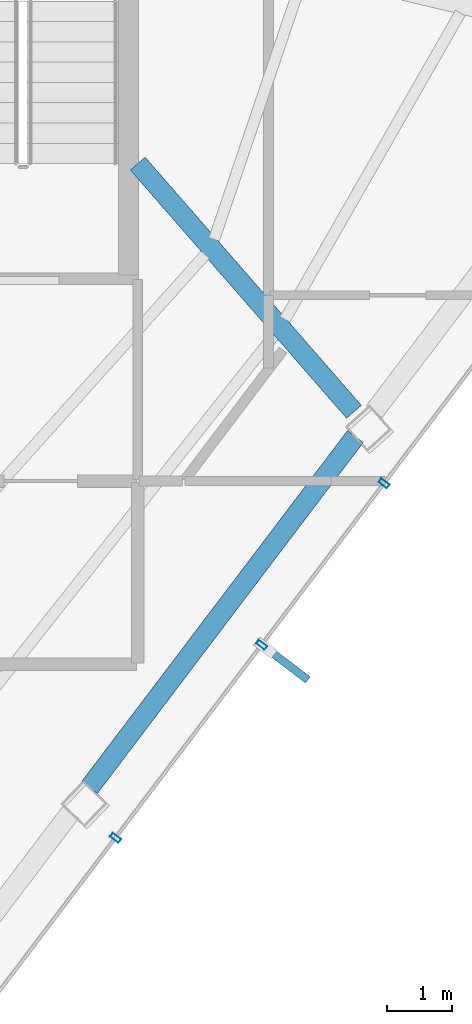
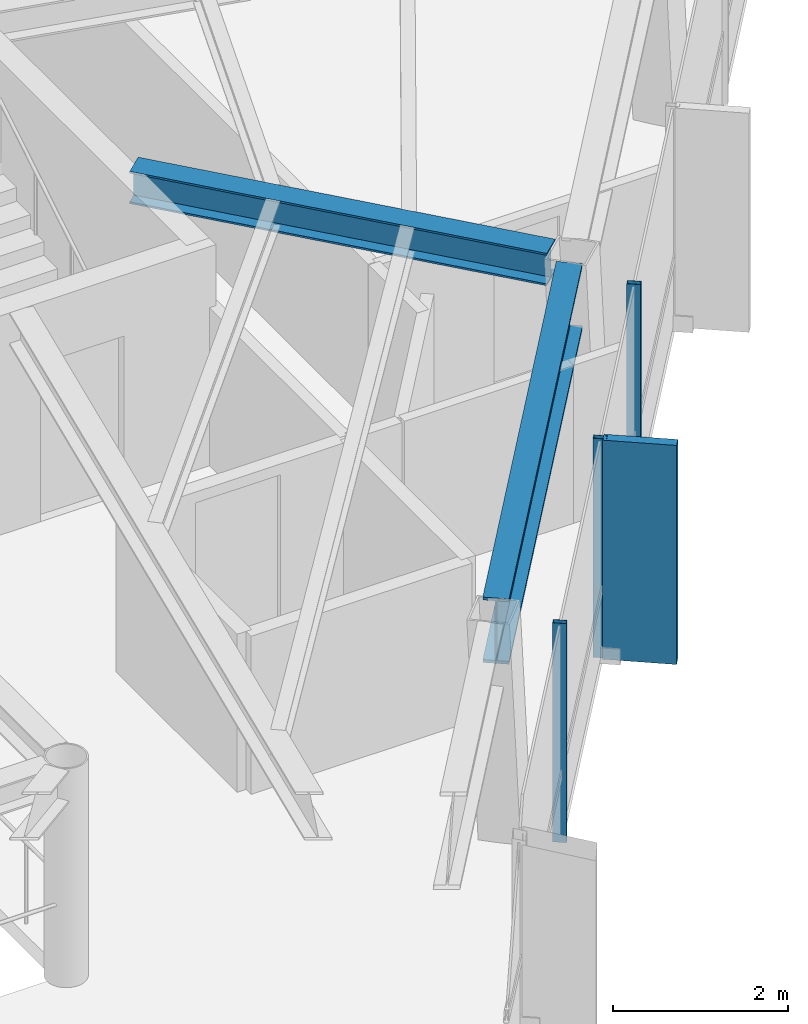
# One storey, part 15 of 24: 4 members, 2 beams, 1 element without a shape of its own.
"""IFC4 building model written with IfcOpenShell, lengths in metres."""

from ifc_helpers import new_model, si_unit, direction, frame, origin, origin_2d, place, context, subcontext, project, spatial, rectangle, hollow_rectangle, i_section, extrude, material, layer, layer_set, material_profile, profile_set, type_object, element, aggregate, save


model = new_model("IFC4")

# Units and contexts
model_context = context("Model", 3, precision=1e-05, world=origin(), true_north=direction((0.0, 1.0)))
body_context = subcontext(model_context, "Body", "Model", "MODEL_VIEW")
ifc_project = project(units=[si_unit("LENGTHUNIT", "METRE"), si_unit("AREAUNIT", "SQUARE_METRE"), si_unit("VOLUMEUNIT", "CUBIC_METRE"), si_unit("PLANEANGLEUNIT", "RADIAN"), si_unit("MASSUNIT", "GRAM", prefix="KILO")], contexts=[model_context])

# Site, building, storey
site_placement = place(None, origin())
site = spatial("IfcSite", under=ifc_project, at=site_placement, CompositionType="ELEMENT")
building_placement = place(site_placement, origin())
building = spatial("IfcBuilding", under=site, at=building_placement, Name="Zarrinselat Tower", CompositionType="ELEMENT")
storey_placement = place(building_placement, frame((0.0, 0.0, 249.56005859375)))
storey = spatial("IfcBuildingStorey", under=building, at=storey_placement, Name="L63", CompositionType="ELEMENT", Elevation=249.56005859375)

# Beams
ifc_material_1 = material(Name="Steel S355J2", Category="steel")
ifc_material_profile_1 = material_profile(ifc_material_1, i_section(OverallWidth=0.300048828125, OverallDepth=0.449951171875, WebThickness=0.013916015625, FlangeThickness=0.02587890625, at=origin_2d()), Name="HEB 450")
ifc_profile_set_1 = profile_set([ifc_material_profile_1], Name="Steel S355J2")
beam_type_1 = type_object("IfcBeamType", Name="BM-HEB450", PredefinedType="BEAM", material=ifc_profile_set_1)
beam_1_placement = place(storey_placement, frame((48.35009765625, 35.0, 2.824951171875), z_axis=(0.656915206205, -0.753964463259, 0.0), x_axis=(0.753964463259, 0.656915206205, 0.0)))
element("IfcBeam", 1, at=beam_1_placement, inside=storey, type_object=beam_type_1, Name="L63 Radial Primary Girder RG13", PredefinedType="BEAM", context=body_context, shape_type="SweptSolid", body=[
    extrude(i_section(OverallWidth=0.300048828125, OverallDepth=0.449951171875, WebThickness=0.013916015625, FlangeThickness=0.02587890625, at=origin_2d()), origin(), (0.0, 0.0, 1.0), 5.02880859375),
])
ifc_material_2 = material(Name="Steel S460M", Category="steel")
ifc_material_profile_2 = material_profile(ifc_material_2, i_section(OverallWidth=0.302001953125, OverallDepth=0.909912109375, WebThickness=0.02099609375, FlangeThickness=0.0400390625, at=origin_2d()), Name="HEM 900")
ifc_profile_set_2 = profile_set([ifc_material_profile_2], Name="Steel S460M")
beam_type_2 = type_object("IfcBeamType", Name="BM-HEM900", PredefinedType="BEAM", material=ifc_profile_set_2)
beam_2_placement = place(storey_placement, frame((47.61328125, 25.467041015625, 2.594970703125), z_axis=(0.60387795292, 0.797076795533, 0.0), x_axis=(-0.797076795533, 0.60387795292, 0.0)))
element("IfcBeam", 2, at=beam_2_placement, inside=storey, type_object=beam_type_2, Name="L63 Perimeter Spandrel Girder SP12", PredefinedType="BEAM", context=body_context, shape_type="SweptSolid", body=[
    extrude(i_section(OverallWidth=0.302001953125, OverallDepth=0.909912109375, WebThickness=0.02099609375, FlangeThickness=0.0400390625, at=origin_2d()), origin(), (0.0, 0.0, 1.0), 6.7265625),
])

# Curtain wall, members
ifc_material_3 = material(Name="Extruded Aluminium Alloy EN AW-6063 T6", Category="aluminium")
ifc_layer = layer(ifc_material_3, 0.169921875)
ifc_layer_set = layer_set([ifc_layer], Name="Extruded Aluminium Alloy EN AW-6063 T6")
curtain_wall_type = type_object("IfcCurtainWallType", Name="CWS-RES", PredefinedType="NOTDEFINED", material=ifc_layer_set)
curtain_wall_placement = place(storey_placement, origin())
curtain_wall = element("IfcCurtainWall", 3, at=curtain_wall_placement, inside=storey, type_object=curtain_wall_type, Name="L63 Unitised Curtain Wall CW-L63-E05", PredefinedType="NOTDEFINED")
ifc_material_4 = material(Name="Extruded Aluminium Alloy EN AW-6063 T6", Category="aluminium")
ifc_material_profile_3 = material_profile(ifc_material_4, hollow_rectangle(XDim=0.070068359375, YDim=0.159912109375, WallThickness=0.00390625, at=origin_2d()), Name="RHS 160x70x4")
ifc_profile_set_3 = profile_set([ifc_material_profile_3], Name="Extruded Aluminium Alloy EN AW-6063 T6")
member_type_1 = type_object("IfcMemberType", Name="MEM-CW-MUL2", PredefinedType="MULLION", material=ifc_profile_set_3)
member_1_placement = place(storey_placement, frame((48.011474609375, 24.6982421875, 0.0), z_axis=(0.0, 0.0, 1.0), x_axis=(0.603855865899, 0.797093528527, 0.0)))
member_1 = element("IfcMember", 4, at=member_1_placement, type_object=member_type_1, Name="CW-L63-E05 Mullion 2", PredefinedType="MULLION", context=body_context, shape_type="SweptSolid", body=[
    extrude(hollow_rectangle(XDim=0.070068359375, YDim=0.159912109375, WallThickness=0.00390625, at=origin_2d()), origin(), (0.0, 0.0, 1.0), 3.050048828125),
])
member_2_placement = place(storey_placement, frame((50.24462890625, 27.646240234375, 0.0), z_axis=(0.0, 0.0, 1.0), x_axis=(0.603855865899, 0.797093528527, 0.0)))
member_2 = element("IfcMember", 5, at=member_2_placement, type_object=member_type_1, Name="CW-L63-E05 Mullion 3", PredefinedType="MULLION", context=body_context, shape_type="SweptSolid", body=[
    extrude(hollow_rectangle(XDim=0.070068359375, YDim=0.159912109375, WallThickness=0.00390625, at=origin_2d()), origin(), (0.0, 0.0, 1.0), 3.050048828125),
])
member_3_placement = place(storey_placement, frame((52.114013671875, 30.11376953125, 0.0), z_axis=(0.0, 0.0, 1.0), x_axis=(0.603855865899, 0.797093528527, 0.0)))
member_3 = element("IfcMember", 6, at=member_3_placement, type_object=member_type_1, Name="CW-L63-E05 Mullion 4", PredefinedType="MULLION", context=body_context, shape_type="SweptSolid", body=[
    extrude(hollow_rectangle(XDim=0.070068359375, YDim=0.159912109375, WallThickness=0.00390625, at=origin_2d()), origin(), (0.0, 0.0, 1.0), 3.050048828125),
])
ifc_material_5 = material(Name="Honed Cream Travertine Stone", Category="masonry")
ifc_material_profile_4 = material_profile(ifc_material_5, rectangle(XDim=0.1201171875, YDim=0.85009765625, at=origin_2d()), Name="FIN 850x120")
ifc_profile_set_4 = profile_set([ifc_material_profile_4], Name="Honed Cream Travertine Stone")
member_type_2 = type_object("IfcMemberType", Name="MEM-STONE-FIN", PredefinedType="USERDEFINED", material=ifc_profile_set_4)
member_4_placement = place(storey_placement, frame((50.611328125, 27.368408203125, 0.0), z_axis=(0.0, 0.0, 1.0), x_axis=(-0.603855865899, -0.797093528527, 0.0)))
member_4 = element("IfcMember", 7, at=member_4_placement, type_object=member_type_2, Name="L63 Stone Shading Fin CW-L63-E05-03", ObjectType="FIN", PredefinedType="USERDEFINED", context=body_context, shape_type="SweptSolid", body=[
    extrude(rectangle(XDim=0.1201171875, YDim=0.85009765625, at=origin_2d()), origin(), (0.0, 0.0, 1.0), 3.050048828125),
])
aggregate(curtain_wall, [member_1, member_2, member_4, member_3])

save(model, "model.ifc")
